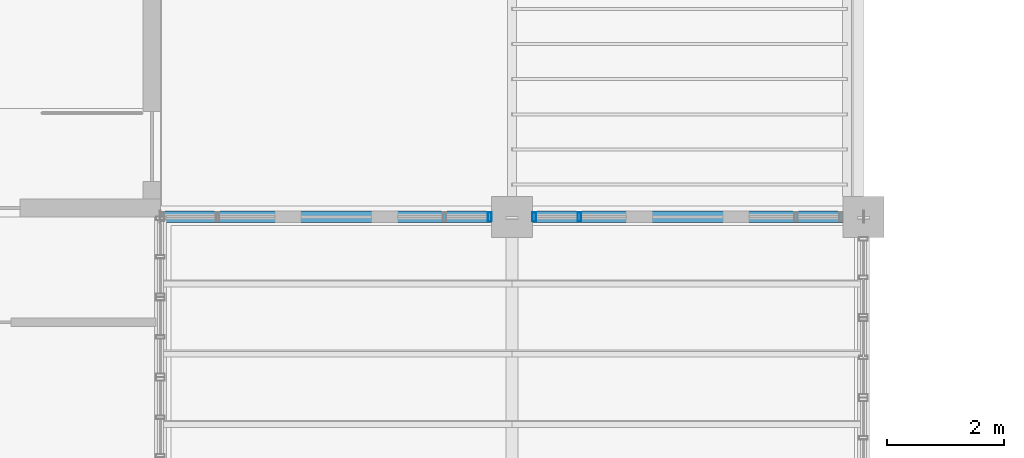
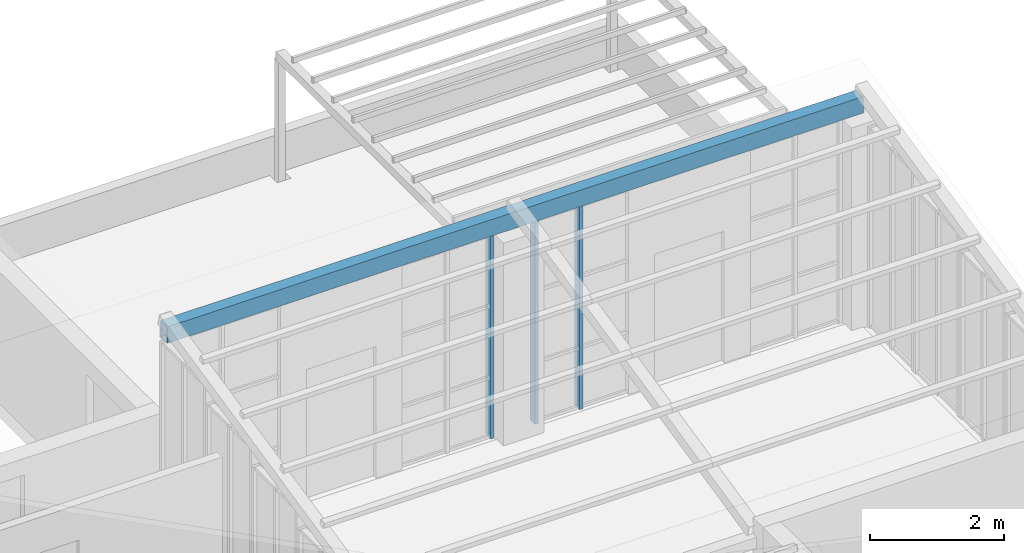
# One storey, part 22 of 51: 3 members, 1 beam, 2 elements without a shape of their own.
"""IFC4 building model written with IfcOpenShell, lengths in metres."""

import ifcopenshell
import ifcopenshell.guid

model = None  # the IFC model being written
_history = None  # IfcOwnerHistory: only IFC2X3 demands one
_inside = {}  # id of a spatial element -> (the spatial element, [elements in it])
_under = {}  # id of a project, library or spatial element -> (it, [spatial elements below it])
_declared = {}  # id of a project -> (the project, [libraries it declares])
_typed = {}  # id of a type object -> (the type object, [elements of that type])
_made_of = {}  # id of a material, layer set ... -> (it, [elements and type objects made of it])


def new_model(schema):
    """Start an empty IFC model of exactly this schema.

    Asked for "IFC4X3", IfcOpenShell would pick the latest addendum, in which some entities
    have other attributes; the version numbers below select the first issue.
    IFC2X3 requires an IfcOwnerHistory on every rooted entity: one is made here for all.
    """
    global model, _history
    if schema == "IFC4X3":
        model = ifcopenshell.file(schema_version=(4, 3, 0, 0))
    else:
        model = ifcopenshell.file(schema=schema)
    _inside.clear()
    _under.clear()
    _declared.clear()
    _typed.clear()
    _made_of.clear()
    _history = None
    if model.schema == "IFC2X3":
        org = make("IfcOrganization", Name="unknown")
        user = make(
            "IfcPersonAndOrganization",
            ThePerson=make("IfcPerson", FamilyName="unknown"),
            TheOrganization=org,
        )
        app = make(
            "IfcApplication",
            ApplicationDeveloper=org,
            Version="unknown",
            ApplicationFullName="unknown",
            ApplicationIdentifier="unknown",
        )
        _history = make(
            "IfcOwnerHistory",
            OwningUser=user,
            OwningApplication=app,
            ChangeAction="ADDED",
            CreationDate=0,
        )
    return model


def make(cls, **values):
    """One entity of the class cls with the attributes given. An attribute that is None is left unset."""
    return model.create_entity(
        cls, **{name: value for name, value in values.items() if value is not None}
    )


def rooted(cls, **values):
    """An entity with a GlobalId (a new one), such as an element, a storey or a relation."""
    return make(cls, GlobalId=ifcopenshell.guid.new(), OwnerHistory=_history, **values)


def si_unit(unit_type, name, prefix=None):
    """IfcSIUnit, for example si_unit("LENGTHUNIT", "METRE", prefix="MILLI")."""
    return make("IfcSIUnit", UnitType=unit_type, Prefix=prefix, Name=name)


def assignment(units):
    """IfcUnitAssignment: the units of a project."""
    return None if units is None else make("IfcUnitAssignment", Units=units)


def point(xyz):
    """IfcCartesianPoint."""
    return None if xyz is None else make("IfcCartesianPoint", Coordinates=xyz)


def direction(xyz):
    """IfcDirection."""
    return None if xyz is None else make("IfcDirection", DirectionRatios=xyz)


def frame(location, z_axis=None, x_axis=None):
    """IfcAxis2Placement3D, a coordinate frame: its origin and axes. An axis left out is left unset."""
    return make(
        "IfcAxis2Placement3D",
        Location=point(location),
        Axis=direction(z_axis),
        RefDirection=direction(x_axis),
    )


def frame_2d(location, x_axis=None):
    """IfcAxis2Placement2D, a coordinate frame in the plane: its origin and x axis."""
    return make(
        "IfcAxis2Placement2D", Location=point(location), RefDirection=direction(x_axis)
    )


def origin():
    """The frame at (0, 0, 0) with its axes left unset."""
    return frame((0.0, 0.0, 0.0))


def origin_2d():
    """The frame at (0, 0) in the plane with its x axis left unset."""
    return frame_2d((0.0, 0.0))


def place(relative_to, where):
    """IfcLocalPlacement: puts the frame where relative to a parent placement (None: the world)."""
    return make(
        "IfcLocalPlacement", PlacementRelTo=relative_to, RelativePlacement=where
    )


def context(
    kind, dimensions, precision=None, world=None, true_north=None, identifier=None
):
    """IfcGeometricRepresentationContext, for example the 3D "Model" context."""
    return make(
        "IfcGeometricRepresentationContext",
        ContextIdentifier=identifier,
        ContextType=kind,
        CoordinateSpaceDimension=dimensions,
        Precision=precision,
        WorldCoordinateSystem=world,
        TrueNorth=true_north,
    )


def subcontext(parent, identifier, kind, view, scale=None):
    """IfcGeometricRepresentationSubContext, for example "Body" below "Model"."""
    return make(
        "IfcGeometricRepresentationSubContext",
        ContextIdentifier=identifier,
        ContextType=kind,
        ParentContext=parent,
        TargetScale=scale,
        TargetView=view,
    )


def project(units=None, contexts=None):
    """IfcProject with its units and contexts."""
    return rooted(
        "IfcProject",
        Name="project",
        RepresentationContexts=contexts,
        UnitsInContext=assignment(units),
    )


def spatial(cls, under=None, at=None, **own):
    """A site, building, storey or space (cls), placed at a placement, below another one or the project."""
    s = rooted(cls, ObjectPlacement=at, **own)
    if under is not None:
        _under.setdefault(under.id(), (under, []))[1].append(s)
    return s


def profile(cls, at=None, kind="AREA", **sizes):
    """A parametric profile (cls). Its sizes go by their IFC names, for example OverallWidth=200.0."""
    return make(cls, ProfileType=kind, Position=at, **sizes)


def hollow_rectangle(**sizes):
    """IfcRectangleHollowProfileDef."""
    return profile("IfcRectangleHollowProfileDef", **sizes)


def extrude(swept, where, along, depth):
    """IfcExtrudedAreaSolid: the profile swept, set in the frame where, extruded along a direction by depth."""
    return make(
        "IfcExtrudedAreaSolid",
        SweptArea=swept,
        Position=where,
        ExtrudedDirection=direction(along),
        Depth=depth,
    )


def shape(context_of_items, identifier, shape_type, items):
    """IfcShapeRepresentation: the items that make up one representation, for example the "Body"."""
    return make(
        "IfcShapeRepresentation",
        ContextOfItems=context_of_items,
        RepresentationIdentifier=identifier,
        RepresentationType=shape_type,
        Items=items,
    )


def material(Name=None, Category=None):
    """IfcMaterial."""
    return make("IfcMaterial", Name=Name, Category=Category)


def material_profile(
    of_material, cross_section, Name=None, Category=None, Priority=None
):
    """IfcMaterialProfile: a cross section and its material."""
    return make(
        "IfcMaterialProfile",
        Name=Name,
        Material=of_material,
        Profile=cross_section,
        Priority=Priority,
        Category=Category,
    )


def profile_set(profiles, Name=None, composite=None):
    """IfcMaterialProfileSet."""
    return make(
        "IfcMaterialProfileSet",
        Name=Name,
        MaterialProfiles=profiles,
        CompositeProfile=composite,
    )


def made_of(thing, what):
    """Note that an element or type object is made of a material, layer set ...; save() writes the relation."""
    if what is not None:
        _made_of.setdefault(what.id(), (what, []))[1].append(thing)
    return thing


def type_object(cls, material=None, **own):
    """A type object (cls), such as IfcWallType, which elements share."""
    return made_of(rooted(cls, **own), material)


def element(
    cls,
    number,
    at=None,
    inside=None,
    cuts=None,
    type_object=None,
    material=None,
    context=None,
    identifier="Body",
    shape_type=None,
    held_by="IfcProductDefinitionShape",
    body=None,
    shapes=None,
    **own,
):
    """One element of the class cls, such as IfcWall. Its Tag is "e" and its number.

    at: its placement. inside: the storey or other place that contains it. cuts: it is an
    opening in that element (IfcRelVoidsElement). A single representation is given by context,
    identifier, shape_type and body (its items); several are given by shapes. held_by: the class
    of the entity that holds the representations. save() writes the other relations.
    """
    e = rooted(cls, Tag="e%d" % number, ObjectPlacement=at, **own)
    if body is not None:
        shapes = [shape(context, identifier, shape_type, body)]
    if shapes is not None:
        e.Representation = make(held_by, Representations=shapes)
    if inside is not None:
        _inside.setdefault(inside.id(), (inside, []))[1].append(e)
    if cuts is not None:
        rooted(
            "IfcRelVoidsElement", RelatingBuildingElement=cuts, RelatedOpeningElement=e
        )
    if type_object is not None:
        _typed.setdefault(type_object.id(), (type_object, []))[1].append(e)
    return made_of(e, material)


def aggregate(whole, parts):
    """IfcRelAggregates: a whole, such as a stair, and the parts it consists of."""
    return rooted("IfcRelAggregates", RelatingObject=whole, RelatedObjects=parts)


def save(model, path):
    """Write the relations noted so far, then the file.

    IfcRelAggregates (storeys below a building ...), IfcRelContainedInSpatialStructure (elements
    in a storey), IfcRelDefinesByType, IfcRelAssociatesMaterial and IfcRelDeclares: one each for
    every whole, place, type object, material and project.
    """
    for whole, parts in _under.values():
        aggregate(whole, parts)
    for where, things in _inside.values():
        rooted(
            "IfcRelContainedInSpatialStructure",
            RelatedElements=things,
            RelatingStructure=where,
        )
    for kind, things in _typed.values():
        rooted("IfcRelDefinesByType", RelatedObjects=things, RelatingType=kind)
    for what, things in _made_of.values():
        rooted("IfcRelAssociatesMaterial", RelatedObjects=things, RelatingMaterial=what)
    for by, libraries in _declared.values():
        rooted("IfcRelDeclares", RelatingContext=by, RelatedDefinitions=libraries)
    model.write(path)


model = new_model("IFC4")

# Units and contexts
model_context = context("Model", 3, precision=1e-05, world=origin(), true_north=direction((0.0, 1.0)))
body_context = subcontext(model_context, "Body", "Model", "MODEL_VIEW")
ifc_project = project(units=[si_unit("LENGTHUNIT", "METRE"), si_unit("AREAUNIT", "SQUARE_METRE"), si_unit("VOLUMEUNIT", "CUBIC_METRE"), si_unit("PLANEANGLEUNIT", "RADIAN"), si_unit("MASSUNIT", "GRAM", prefix="KILO")], contexts=[model_context])

# Site, building, storey
site_placement = place(None, origin())
site = spatial("IfcSite", under=ifc_project, at=site_placement, CompositionType="ELEMENT")
building_placement = place(site_placement, origin())
building = spatial("IfcBuilding", under=site, at=building_placement, Name="Laocheng Heights Fire and Rescue Headquarters", CompositionType="ELEMENT")
storey_placement = place(building_placement, frame((0.0, 0.0, 21.0)))
storey = spatial("IfcBuildingStorey", under=building, at=storey_placement, Name="L05", CompositionType="ELEMENT", Elevation=21.0)

# Curtain wall, member
ifc_material_1 = material(Name="Dark anodised aluminium unitised curtain wall, low-e double glazing", Category="aluminium")
curtain_wall_type = type_object("IfcCurtainWallType", Name="CW 1600 x 3714 CREW ROOF LOUNGE GLAZING", PredefinedType="NOTDEFINED", material=ifc_material_1)
curtain_wall_1_placement = place(storey_placement, origin())
curtain_wall_1 = element("IfcCurtainWall", 1, at=curtain_wall_1_placement, inside=storey, type_object=curtain_wall_type, Name="X11-W CREW LOUNGE NORTH L05", PredefinedType="NOTDEFINED")
ifc_material_2 = material(Name="Dark anodised aluminium 6063-T5 extrusion", Category="aluminium")
ifc_material_profile_1 = material_profile(ifc_material_2, hollow_rectangle(XDim=0.14990234375, YDim=0.06005859375, WallThickness=0.0029296875, at=origin_2d()), Name="AL MULLION 150x60x3 CREW ROOF LOUNGE GLAZING")
ifc_profile_set_1 = profile_set([ifc_material_profile_1], Name="Dark anodised aluminium 6063-T5 extrusion")
member_type = type_object("IfcMemberType", Name="AL MULLION 150x60x3 CREW ROOF LOUNGE GLAZING", PredefinedType="MULLION", material=ifc_profile_set_1)
member_1_placement = place(storey_placement, frame((101.6201171875, 50.39990234375, 0.0), z_axis=(0.0, 0.0, 1.0), x_axis=(0.0, 1.0, 0.0)))
member_1 = element("IfcMember", 2, at=member_1_placement, type_object=member_type, Name="X11-W mullion 3", PredefinedType="MULLION", context=body_context, shape_type="SweptSolid", body=[
    extrude(hollow_rectangle(XDim=0.14990234375, YDim=0.06005859375, WallThickness=0.0029296875, at=origin_2d()), origin(), (0.0, 0.0, 1.0), 3.71435546875),
])
aggregate(curtain_wall_1, [member_1])

# Curtain wall, members
curtain_wall_2_placement = place(storey_placement, origin())
curtain_wall_2 = element("IfcCurtainWall", 3, at=curtain_wall_2_placement, inside=storey, type_object=curtain_wall_type, Name="X11-W CREW LOUNGE NORTH L05", PredefinedType="NOTDEFINED")
member_2_placement = place(storey_placement, frame((102.3798828125, 50.39990234375, 0.0), z_axis=(0.0, 0.0, 1.0), x_axis=(0.0, 1.0, 0.0)))
member_2 = element("IfcMember", 4, at=member_2_placement, type_object=member_type, Name="X11-W mullion 1", PredefinedType="MULLION", context=body_context, shape_type="SweptSolid", body=[
    extrude(hollow_rectangle(XDim=0.14990234375, YDim=0.06005859375, WallThickness=0.0029296875, at=origin_2d()), origin(), (0.0, 0.0, 1.0), 3.71435546875),
])
member_3_placement = place(storey_placement, frame((103.14990234375, 50.39990234375, 0.0), z_axis=(0.0, 0.0, 1.0), x_axis=(0.0, 1.0, 0.0)))
member_3 = element("IfcMember", 5, at=member_3_placement, type_object=member_type, Name="X11-W mullion 2", PredefinedType="MULLION", context=body_context, shape_type="SweptSolid", body=[
    extrude(hollow_rectangle(XDim=0.14990234375, YDim=0.06005859375, WallThickness=0.0029296875, at=origin_2d()), origin(), (0.0, 0.0, 1.0), 3.71435546875),
])
aggregate(curtain_wall_2, [member_2, member_3])

# Beam
ifc_material_3 = material(Name="Steel Q355B", Category="steel")
ifc_material_profile_2 = material_profile(ifc_material_3, hollow_rectangle(XDim=0.199951171875, YDim=0.300048828125, WallThickness=0.010009765625, at=origin_2d()), Name="RHS 300x200x10")
ifc_profile_set_2 = profile_set([ifc_material_profile_2], Name="Steel Q355B")
beam_type = type_object("IfcBeamType", Name="RHS 300x200x10 EAVE BEAM", PredefinedType="BEAM", material=ifc_profile_set_2)
beam_placement = place(storey_placement, frame((96.0, 50.39990234375, 3.864501953125), z_axis=(1.0, 0.0, 0.0), x_axis=(0.0, 1.0, 0.0)))
element("IfcBeam", 6, at=beam_placement, inside=storey, type_object=beam_type, Name="Butterfly eave beam N", PredefinedType="BEAM", context=body_context, shape_type="SweptSolid", body=[
    extrude(hollow_rectangle(XDim=0.199951171875, YDim=0.300048828125, WallThickness=0.010009765625, at=origin_2d()), origin(), (0.0, 0.0, 1.0), 12.0),
])

save(model, "model.ifc")
